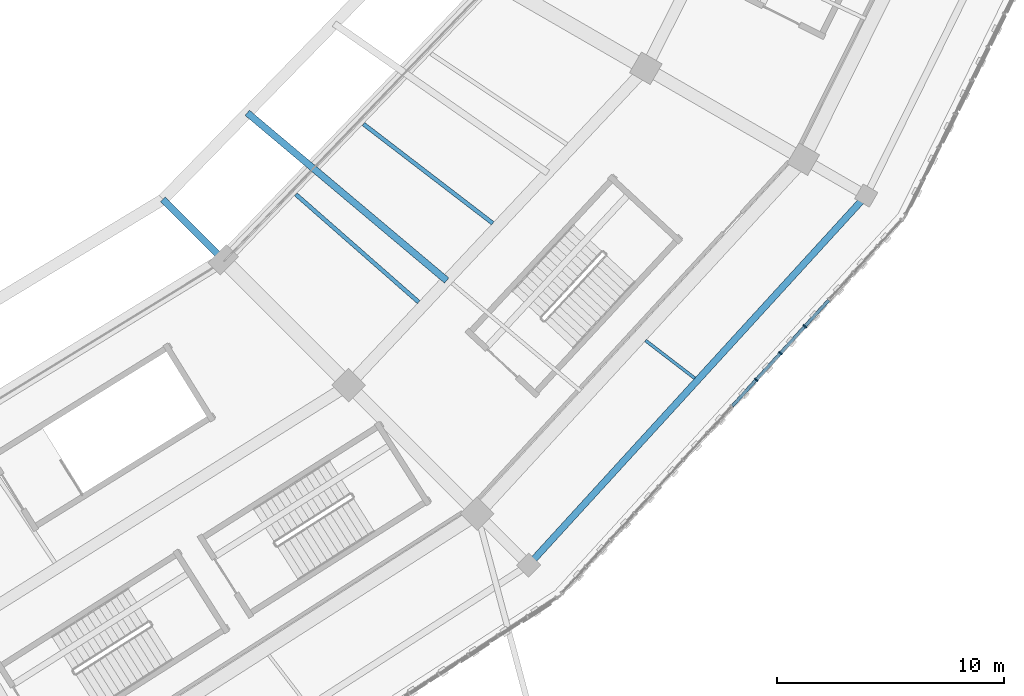
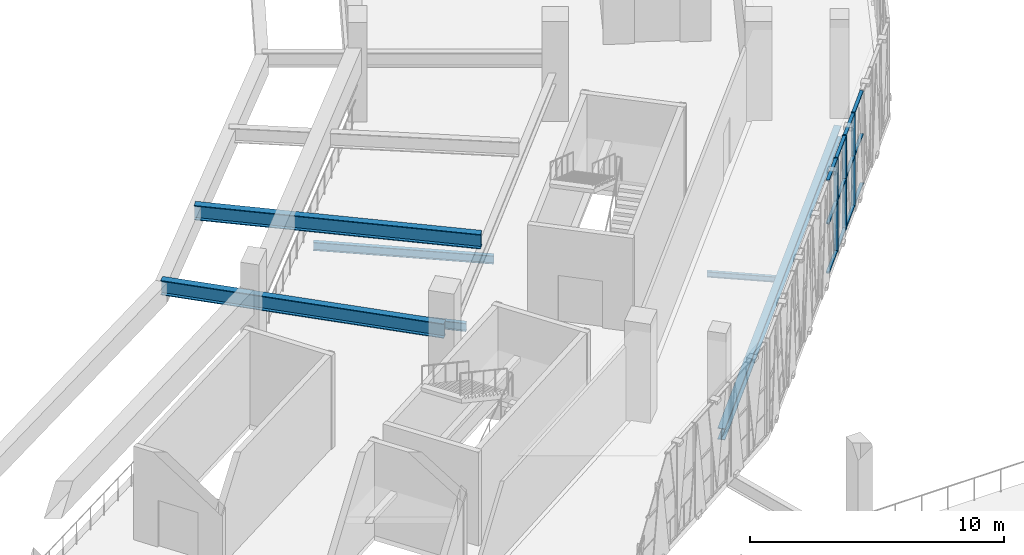
# One storey, part 34 of 179: 15 members, 6 beams, 1 element without a shape of its own.
"""IFC4 building model written with IfcOpenShell, lengths in metres."""

from ifc_helpers import new_model, si_unit, direction, frame, origin, origin_2d, place, context, subcontext, project, spatial, rectangle, i_section, extrude, material, material_profile, profile_set, type_object, element, aggregate, save


model = new_model("IFC4")

# Units and contexts
model_context = context("Model", 3, precision=1e-05, world=origin(), true_north=direction((0.0, 1.0)))
body_context = subcontext(model_context, "Body", "Model", "MODEL_VIEW")
ifc_project = project(units=[si_unit("LENGTHUNIT", "METRE"), si_unit("AREAUNIT", "SQUARE_METRE"), si_unit("VOLUMEUNIT", "CUBIC_METRE"), si_unit("PLANEANGLEUNIT", "RADIAN"), si_unit("MASSUNIT", "GRAM", prefix="KILO")], contexts=[model_context])

# Site, building, storey
site_placement = place(None, origin())
site = spatial("IfcSite", under=ifc_project, at=site_placement, CompositionType="ELEMENT")
building_placement = place(site_placement, origin())
building = spatial("IfcBuilding", under=site, at=building_placement, Name="Zevraka Park Crest Stadium", CompositionType="ELEMENT")
storey_placement = place(building_placement, frame((0.0, 0.0, 10.199951171875)))
storey = spatial("IfcBuildingStorey", under=building, at=storey_placement, Name="L02", CompositionType="ELEMENT", Elevation=10.199951171875)

# Beams
ifc_material_1 = material(Name="Steel S355", Category="steel")
ifc_material_profile_1 = material_profile(ifc_material_1, i_section(OverallWidth=0.300048828125, OverallDepth=0.699951171875, WebThickness=0.01708984375, FlangeThickness=0.031982421875, at=origin_2d()), Name="HEB 700")
ifc_profile_set_1 = profile_set([ifc_material_profile_1], Name="Steel S355")
beam_type_1 = type_object("IfcBeamType", Name="BG06", PredefinedType="BEAM", material=ifc_profile_set_1)
beam_1_placement = place(storey_placement, frame((170.195068359375, 44.412109375, 2.670166015625), z_axis=(-0.707106781187, 0.707106781187, 0.0), x_axis=(-0.707106781187, -0.707106781187, 0.0)))
element("IfcBeam", 1, at=beam_1_placement, inside=storey, type_object=beam_type_1, Name="Upper Tier Back-Spanned Cantilever Girder BG06 21", PredefinedType="BEAM", context=body_context, shape_type="SweptSolid", body=[
    extrude(i_section(OverallWidth=0.300048828125, OverallDepth=0.699951171875, WebThickness=0.01708984375, FlangeThickness=0.031982421875, at=origin_2d()), origin(), (0.0, 0.0, 1.0), 11.5498046875),
])
beam_2_placement = place(storey_placement, frame((174.510986328125, 49.011962890625, 2.670166015625), z_axis=(-0.7653749621, 0.643584623332, 0.0), x_axis=(-0.643584623332, -0.7653749621, 0.0)))
element("IfcBeam", 2, at=beam_2_placement, inside=storey, type_object=beam_type_1, Name="Upper Tier Vomitory Cantilever Girder BG06 21-V1", PredefinedType="BEAM", context=body_context, shape_type="SweptSolid", body=[
    extrude(i_section(OverallWidth=0.300048828125, OverallDepth=0.699951171875, WebThickness=0.01708984375, FlangeThickness=0.031982421875, at=origin_2d()), origin(), (0.0, 0.0, 1.0), 11.46240234375),
])

# Curtain wall, members
ifc_material_2 = material(Name="Anodised architectural aluminium and laminated safety glass", Category="aluminium")
curtain_wall_type = type_object("IfcCurtainWallType", Name="CW08", PredefinedType="NOTDEFINED", material=ifc_material_2)
curtain_wall_placement = place(storey_placement, origin())
curtain_wall = element("IfcCurtainWall", 3, at=curtain_wall_placement, inside=storey, type_object=curtain_wall_type, Name="Unitised Ring Curtain Wall CW08 L02-21", PredefinedType="NOTDEFINED")
ifc_material_3 = material(Name="Anodised architectural aluminium", Category="aluminium")
ifc_material_profile_2 = material_profile(ifc_material_3, rectangle(XDim=0.179931640625, YDim=0.06494140625, at=origin_2d()), Name="ALU MULLION 180x65")
ifc_profile_set_2 = profile_set([ifc_material_profile_2], Name="Anodised architectural aluminium")
member_type_1 = type_object("IfcMemberType", Name="CM02", PredefinedType="MULLION", material=ifc_profile_set_2)
member_1_placement = place(storey_placement, frame((188.128662109375, 44.6435546875, 0.0), z_axis=(0.0, 0.0, 1.0), x_axis=(-0.739496877097, 0.673159987494, 0.0)))
member_1 = element("IfcMember", 4, at=member_1_placement, type_object=member_type_1, Name="CW08 mullion 9", PredefinedType="MULLION", context=body_context, shape_type="SweptSolid", body=[
    extrude(rectangle(XDim=0.179931640625, YDim=0.06494140625, at=origin_2d()), origin(), (0.0, 0.0, 1.0), 4.5),
])
member_2_placement = place(storey_placement, frame((189.19921875, 45.819580078125, 0.0), z_axis=(0.0, 0.0, 1.0), x_axis=(-0.739496877097, 0.673159987494, 0.0)))
member_2 = element("IfcMember", 5, at=member_2_placement, type_object=member_type_1, Name="CW08 mullion 10", PredefinedType="MULLION", context=body_context, shape_type="SweptSolid", body=[
    extrude(rectangle(XDim=0.179931640625, YDim=0.06494140625, at=origin_2d()), origin(), (0.0, 0.0, 1.0), 4.5),
])
member_3_placement = place(storey_placement, frame((190.269775390625, 46.99560546875, 0.0), z_axis=(0.0, 0.0, 1.0), x_axis=(-0.739496877097, 0.673159987494, 0.0)))
member_3 = element("IfcMember", 6, at=member_3_placement, type_object=member_type_1, Name="CW08 mullion 11", PredefinedType="MULLION", context=body_context, shape_type="SweptSolid", body=[
    extrude(rectangle(XDim=0.179931640625, YDim=0.06494140625, at=origin_2d()), origin(), (0.0, 0.0, 1.0), 4.5),
])
ifc_material_4 = material(Name="Anodised architectural aluminium", Category="aluminium")
ifc_material_profile_3 = material_profile(ifc_material_4, rectangle(XDim=0.139892578125, YDim=0.06494140625, at=origin_2d()), Name="ALU TRANSOM 140x65")
ifc_profile_set_3 = profile_set([ifc_material_profile_3], Name="Anodised architectural aluminium")
member_type_2 = type_object("IfcMemberType", Name="CT02", PredefinedType="USERDEFINED", material=ifc_profile_set_3)
member_4_placement = place(storey_placement, frame((187.079833984375, 43.491455078125, 0.032470703125), z_axis=(0.673118749814, 0.739534413431, 0.0), x_axis=(-0.739534413431, 0.673118749814, 0.0)))
member_4 = element("IfcMember", 7, at=member_4_placement, type_object=member_type_2, Name="CW08 transom 8.1", ObjectType="TRANSOM", PredefinedType="USERDEFINED", context=body_context, shape_type="SweptSolid", body=[
    extrude(rectangle(XDim=0.139892578125, YDim=0.06494140625, at=origin_2d()), origin(), (0.0, 0.0, 1.0), 1.525634765625),
])
member_5_placement = place(storey_placement, frame((187.079833984375, 43.491455078125, 2.400146484375), z_axis=(0.673118749814, 0.739534413431, 0.0), x_axis=(-0.739534413431, 0.673118749814, 0.0)))
member_5 = element("IfcMember", 8, at=member_5_placement, type_object=member_type_2, Name="CW08 transom 8.2", ObjectType="TRANSOM", PredefinedType="USERDEFINED", context=body_context, shape_type="SweptSolid", body=[
    extrude(rectangle(XDim=0.139892578125, YDim=0.06494140625, at=origin_2d()), origin(), (0.0, 0.0, 1.0), 1.525634765625),
])
member_6_placement = place(storey_placement, frame((187.079833984375, 43.491455078125, 4.467529296875), z_axis=(0.673118749814, 0.739534413431, 0.0), x_axis=(-0.739534413431, 0.673118749814, 0.0)))
member_6 = element("IfcMember", 9, at=member_6_placement, type_object=member_type_2, Name="CW08 transom 8.3", ObjectType="TRANSOM", PredefinedType="USERDEFINED", context=body_context, shape_type="SweptSolid", body=[
    extrude(rectangle(XDim=0.139892578125, YDim=0.06494140625, at=origin_2d()), origin(), (0.0, 0.0, 1.0), 1.525634765625),
])
member_7_placement = place(storey_placement, frame((188.150390625, 44.667724609375, 0.032470703125), z_axis=(0.673198421242, 0.739461889239, 0.0), x_axis=(-0.739461889239, 0.673198421242, 0.0)))
member_7 = element("IfcMember", 10, at=member_7_placement, type_object=member_type_2, Name="CW08 transom 9.1", ObjectType="TRANSOM", PredefinedType="USERDEFINED", context=body_context, shape_type="SweptSolid", body=[
    extrude(rectangle(XDim=0.139892578125, YDim=0.06494140625, at=origin_2d()), origin(), (0.0, 0.0, 1.0), 1.525390625),
])
member_8_placement = place(storey_placement, frame((188.150390625, 44.667724609375, 2.400146484375), z_axis=(0.673198421242, 0.739461889239, 0.0), x_axis=(-0.739461889239, 0.673198421242, 0.0)))
member_8 = element("IfcMember", 11, at=member_8_placement, type_object=member_type_2, Name="CW08 transom 9.2", ObjectType="TRANSOM", PredefinedType="USERDEFINED", context=body_context, shape_type="SweptSolid", body=[
    extrude(rectangle(XDim=0.139892578125, YDim=0.06494140625, at=origin_2d()), origin(), (0.0, 0.0, 1.0), 1.525390625),
])
member_9_placement = place(storey_placement, frame((188.150390625, 44.667724609375, 4.467529296875), z_axis=(0.673198421242, 0.739461889239, 0.0), x_axis=(-0.739461889239, 0.673198421242, 0.0)))
member_9 = element("IfcMember", 12, at=member_9_placement, type_object=member_type_2, Name="CW08 transom 9.3", ObjectType="TRANSOM", PredefinedType="USERDEFINED", context=body_context, shape_type="SweptSolid", body=[
    extrude(rectangle(XDim=0.139892578125, YDim=0.06494140625, at=origin_2d()), origin(), (0.0, 0.0, 1.0), 1.525390625),
])
member_10_placement = place(storey_placement, frame((189.220947265625, 45.84375, 0.032470703125), z_axis=(0.673198421242, 0.739461889239, 0.0), x_axis=(-0.739461889239, 0.673198421242, 0.0)))
member_10 = element("IfcMember", 13, at=member_10_placement, type_object=member_type_2, Name="CW08 transom 10.1", ObjectType="TRANSOM", PredefinedType="USERDEFINED", context=body_context, shape_type="SweptSolid", body=[
    extrude(rectangle(XDim=0.139892578125, YDim=0.06494140625, at=origin_2d()), origin(), (0.0, 0.0, 1.0), 1.525390625),
])
member_11_placement = place(storey_placement, frame((189.220947265625, 45.84375, 2.400146484375), z_axis=(0.673198421242, 0.739461889239, 0.0), x_axis=(-0.739461889239, 0.673198421242, 0.0)))
member_11 = element("IfcMember", 14, at=member_11_placement, type_object=member_type_2, Name="CW08 transom 10.2", ObjectType="TRANSOM", PredefinedType="USERDEFINED", context=body_context, shape_type="SweptSolid", body=[
    extrude(rectangle(XDim=0.139892578125, YDim=0.06494140625, at=origin_2d()), origin(), (0.0, 0.0, 1.0), 1.525390625),
])
member_12_placement = place(storey_placement, frame((189.220947265625, 45.84375, 4.467529296875), z_axis=(0.673198421242, 0.739461889239, 0.0), x_axis=(-0.739461889239, 0.673198421242, 0.0)))
member_12 = element("IfcMember", 15, at=member_12_placement, type_object=member_type_2, Name="CW08 transom 10.3", ObjectType="TRANSOM", PredefinedType="USERDEFINED", context=body_context, shape_type="SweptSolid", body=[
    extrude(rectangle(XDim=0.139892578125, YDim=0.06494140625, at=origin_2d()), origin(), (0.0, 0.0, 1.0), 1.525390625),
])
member_13_placement = place(storey_placement, frame((190.29150390625, 47.019775390625, 0.032470703125), z_axis=(0.673198421242, 0.739461889239, 0.0), x_axis=(-0.739461889239, 0.673198421242, 0.0)))
member_13 = element("IfcMember", 16, at=member_13_placement, type_object=member_type_2, Name="CW08 transom 11.1", ObjectType="TRANSOM", PredefinedType="USERDEFINED", context=body_context, shape_type="SweptSolid", body=[
    extrude(rectangle(XDim=0.139892578125, YDim=0.06494140625, at=origin_2d()), origin(), (0.0, 0.0, 1.0), 1.525390625),
])
member_14_placement = place(storey_placement, frame((190.29150390625, 47.019775390625, 2.400146484375), z_axis=(0.673198421242, 0.739461889239, 0.0), x_axis=(-0.739461889239, 0.673198421242, 0.0)))
member_14 = element("IfcMember", 17, at=member_14_placement, type_object=member_type_2, Name="CW08 transom 11.2", ObjectType="TRANSOM", PredefinedType="USERDEFINED", context=body_context, shape_type="SweptSolid", body=[
    extrude(rectangle(XDim=0.139892578125, YDim=0.06494140625, at=origin_2d()), origin(), (0.0, 0.0, 1.0), 1.525390625),
])
member_15_placement = place(storey_placement, frame((190.29150390625, 47.019775390625, 4.467529296875), z_axis=(0.673198421242, 0.739461889239, 0.0), x_axis=(-0.739461889239, 0.673198421242, 0.0)))
member_15 = element("IfcMember", 18, at=member_15_placement, type_object=member_type_2, Name="CW08 transom 11.3", ObjectType="TRANSOM", PredefinedType="USERDEFINED", context=body_context, shape_type="SweptSolid", body=[
    extrude(rectangle(XDim=0.139892578125, YDim=0.06494140625, at=origin_2d()), origin(), (0.0, 0.0, 1.0), 1.525390625),
])
aggregate(curtain_wall, [member_1, member_2, member_3, member_4, member_5, member_6, member_7, member_8, member_9, member_10, member_11, member_12, member_13, member_14, member_15])

# Beams
ifc_material_5 = material(Name="Steel S355", Category="steel")
ifc_material_profile_4 = material_profile(ifc_material_5, i_section(OverallWidth=0.300048828125, OverallDepth=0.550048828125, WebThickness=0.014892578125, FlangeThickness=0.029052734375, at=origin_2d()), Name="HEB 550")
ifc_profile_set_4 = profile_set([ifc_material_profile_4], Name="Steel S355")
beam_type_2 = type_object("IfcBeamType", Name="RB04", PredefinedType="BEAM", material=ifc_profile_set_4)
beam_3_placement = place(storey_placement, frame((178.35009765625, 36.75, -0.5849609375), z_axis=(0.674624342029, 0.738161227065, 0.0), x_axis=(-0.738161227065, 0.674624342029, 0.0)))
element("IfcBeam", 19, at=beam_3_placement, inside=storey, type_object=beam_type_2, Name="Ring Beam RB04 L02-E-21", PredefinedType="BEAM", context=body_context, shape_type="SweptSolid", body=[
    extrude(i_section(OverallWidth=0.300048828125, OverallDepth=0.550048828125, WebThickness=0.014892578125, FlangeThickness=0.029052734375, at=origin_2d()), origin(), (0.0, 0.0, 1.0), 21.325927734375),
])
ifc_material_6 = material(Name="Steel S355", Category="steel")
ifc_material_profile_5 = material_profile(ifc_material_6, i_section(OverallWidth=0.135009765625, OverallDepth=0.27001953125, WebThickness=0.006591796875, FlangeThickness=0.01025390625, at=origin_2d()), Name="IPE 270")
ifc_profile_set_5 = profile_set([ifc_material_profile_5], Name="Steel S355")
beam_type_3 = type_object("IfcBeamType", Name="SJ07", PredefinedType="JOIST", material=ifc_profile_set_5)
beam_4_placement = place(storey_placement, frame((183.260986328125, 46.373046875, -0.4228515625), z_axis=(0.793128631587, -0.609054163238, 0.0), x_axis=(0.609054163238, 0.793128631587, 0.0)))
element("IfcBeam", 20, at=beam_4_placement, inside=storey, type_object=beam_type_3, Name="Floor Joist SJ07 L02-DE-21-1", PredefinedType="JOIST", context=body_context, shape_type="SweptSolid", body=[
    extrude(i_section(OverallWidth=0.135009765625, OverallDepth=0.27001953125, WebThickness=0.006591796875, FlangeThickness=0.01025390625, at=origin_2d()), origin(), (0.0, 0.0, 1.0), 2.732177734375),
])
ifc_material_7 = material(Name="Steel S355", Category="steel")
ifc_material_profile_6 = material_profile(ifc_material_7, i_section(OverallWidth=0.179931640625, OverallDepth=0.39990234375, WebThickness=0.008544921875, FlangeThickness=0.013427734375, at=origin_2d()), Name="IPE 400")
ifc_profile_set_6 = profile_set([ifc_material_profile_6], Name="Steel S355")
beam_type_4 = type_object("IfcBeamType", Name="SJ09", PredefinedType="JOIST", material=ifc_profile_set_6)
beam_5_placement = place(storey_placement, frame((167.8759765625, 52.800048828125, -0.488037109375), z_axis=(0.751711566798, -0.65949201689, 0.0), x_axis=(0.65949201689, 0.751711566798, 0.0)))
element("IfcBeam", 21, at=beam_5_placement, inside=storey, type_object=beam_type_4, Name="Floor Joist SJ09 L02-BC-21-1", PredefinedType="JOIST", context=body_context, shape_type="SweptSolid", body=[
    extrude(i_section(OverallWidth=0.179931640625, OverallDepth=0.39990234375, WebThickness=0.008544921875, FlangeThickness=0.013427734375, at=origin_2d()), origin(), (0.0, 0.0, 1.0), 7.190185546875),
])
beam_6_placement = place(storey_placement, frame((170.84912109375, 55.89697265625, -0.488037109375), z_axis=(0.793343347731, -0.608774451346, 0.0), x_axis=(0.608774451346, 0.793343347731, 0.0)))
element("IfcBeam", 22, at=beam_6_placement, inside=storey, type_object=beam_type_4, Name="Floor Joist SJ09 L02-BC-21-2", PredefinedType="JOIST", context=body_context, shape_type="SweptSolid", body=[
    extrude(i_section(OverallWidth=0.179931640625, OverallDepth=0.39990234375, WebThickness=0.008544921875, FlangeThickness=0.013427734375, at=origin_2d()), origin(), (0.0, 0.0, 1.0), 7.17333984375),
])

save(model, "model.ifc")
